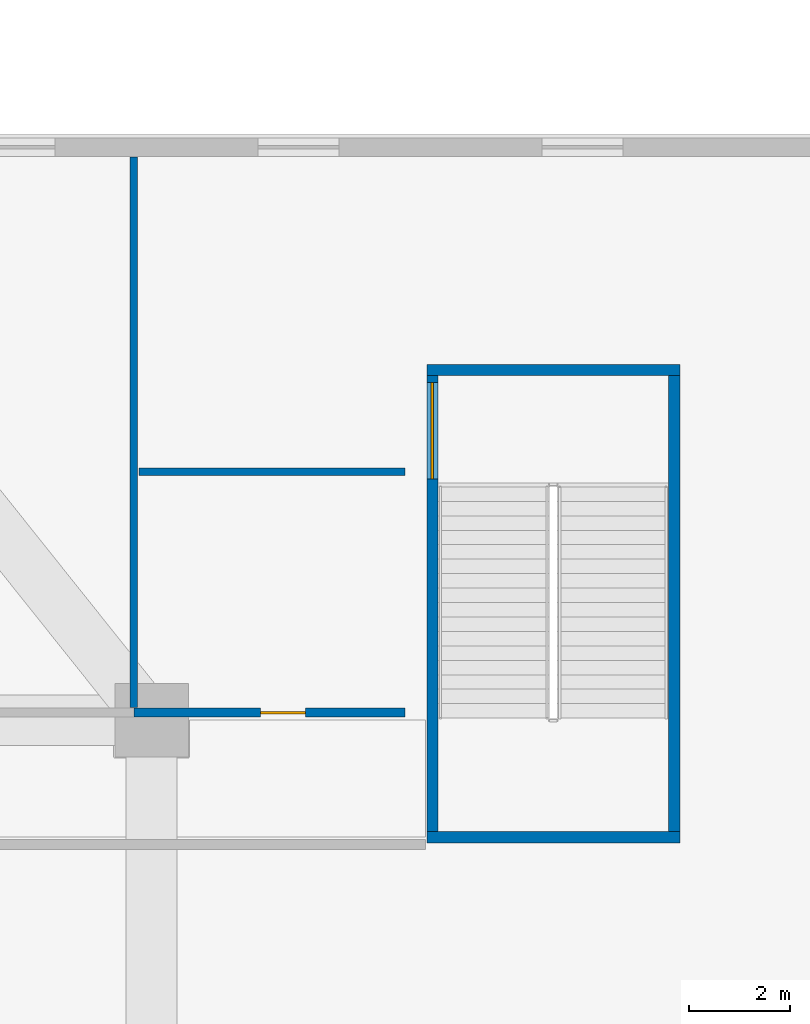
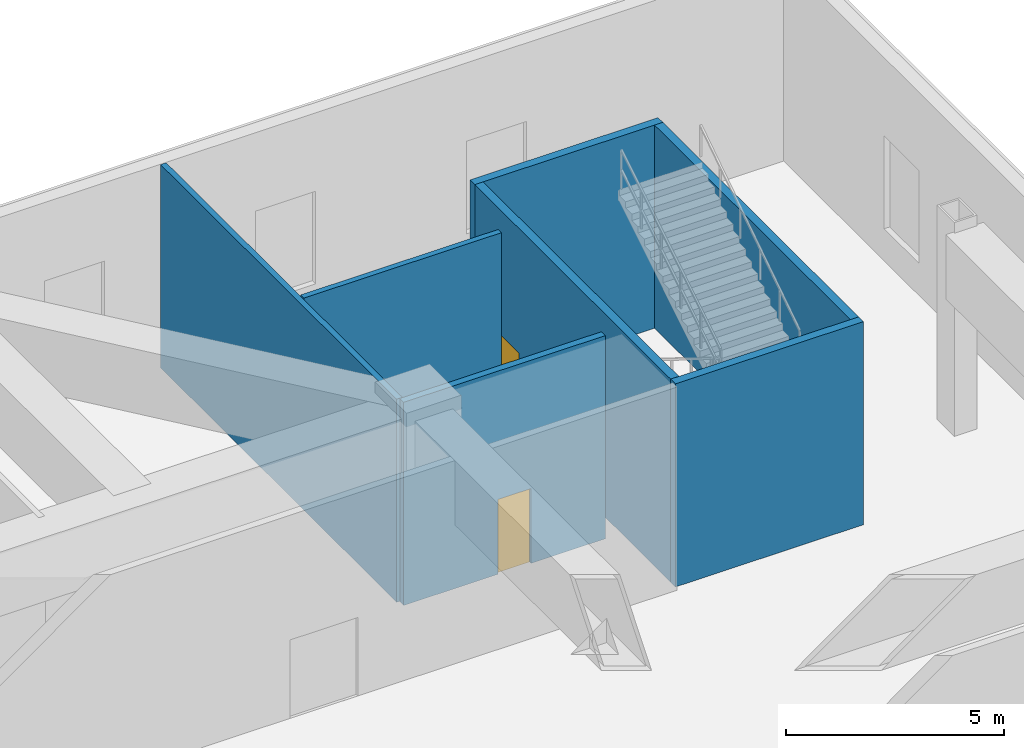
# One storey, part 15 of 24: 7 walls, 2 doors, 2 openings.
"""IFC4 building model written with IfcOpenShell, lengths in metres."""

import ifcopenshell
import ifcopenshell.guid

model = None  # the IFC model being written
_history = None  # IfcOwnerHistory: only IFC2X3 demands one
_inside = {}  # id of a spatial element -> (the spatial element, [elements in it])
_under = {}  # id of a project, library or spatial element -> (it, [spatial elements below it])
_declared = {}  # id of a project -> (the project, [libraries it declares])
_typed = {}  # id of a type object -> (the type object, [elements of that type])
_made_of = {}  # id of a material, layer set ... -> (it, [elements and type objects made of it])


def new_model(schema):
    """Start an empty IFC model of exactly this schema.

    Asked for "IFC4X3", IfcOpenShell would pick the latest addendum, in which some entities
    have other attributes; the version numbers below select the first issue.
    IFC2X3 requires an IfcOwnerHistory on every rooted entity: one is made here for all.
    """
    global model, _history
    if schema == "IFC4X3":
        model = ifcopenshell.file(schema_version=(4, 3, 0, 0))
    else:
        model = ifcopenshell.file(schema=schema)
    _inside.clear()
    _under.clear()
    _declared.clear()
    _typed.clear()
    _made_of.clear()
    _history = None
    if model.schema == "IFC2X3":
        org = make("IfcOrganization", Name="unknown")
        user = make(
            "IfcPersonAndOrganization",
            ThePerson=make("IfcPerson", FamilyName="unknown"),
            TheOrganization=org,
        )
        app = make(
            "IfcApplication",
            ApplicationDeveloper=org,
            Version="unknown",
            ApplicationFullName="unknown",
            ApplicationIdentifier="unknown",
        )
        _history = make(
            "IfcOwnerHistory",
            OwningUser=user,
            OwningApplication=app,
            ChangeAction="ADDED",
            CreationDate=0,
        )
    return model


def make(cls, **values):
    """One entity of the class cls with the attributes given. An attribute that is None is left unset."""
    return model.create_entity(
        cls, **{name: value for name, value in values.items() if value is not None}
    )


def rooted(cls, **values):
    """An entity with a GlobalId (a new one), such as an element, a storey or a relation."""
    return make(cls, GlobalId=ifcopenshell.guid.new(), OwnerHistory=_history, **values)


def si_unit(unit_type, name, prefix=None):
    """IfcSIUnit, for example si_unit("LENGTHUNIT", "METRE", prefix="MILLI")."""
    return make("IfcSIUnit", UnitType=unit_type, Prefix=prefix, Name=name)


def assignment(units):
    """IfcUnitAssignment: the units of a project."""
    return None if units is None else make("IfcUnitAssignment", Units=units)


def point(xyz):
    """IfcCartesianPoint."""
    return None if xyz is None else make("IfcCartesianPoint", Coordinates=xyz)


def direction(xyz):
    """IfcDirection."""
    return None if xyz is None else make("IfcDirection", DirectionRatios=xyz)


def frame(location, z_axis=None, x_axis=None):
    """IfcAxis2Placement3D, a coordinate frame: its origin and axes. An axis left out is left unset."""
    return make(
        "IfcAxis2Placement3D",
        Location=point(location),
        Axis=direction(z_axis),
        RefDirection=direction(x_axis),
    )


def frame_2d(location, x_axis=None):
    """IfcAxis2Placement2D, a coordinate frame in the plane: its origin and x axis."""
    return make(
        "IfcAxis2Placement2D", Location=point(location), RefDirection=direction(x_axis)
    )


def origin():
    """The frame at (0, 0, 0) with its axes left unset."""
    return frame((0.0, 0.0, 0.0))


def place(relative_to, where):
    """IfcLocalPlacement: puts the frame where relative to a parent placement (None: the world)."""
    return make(
        "IfcLocalPlacement", PlacementRelTo=relative_to, RelativePlacement=where
    )


def context(
    kind, dimensions, precision=None, world=None, true_north=None, identifier=None
):
    """IfcGeometricRepresentationContext, for example the 3D "Model" context."""
    return make(
        "IfcGeometricRepresentationContext",
        ContextIdentifier=identifier,
        ContextType=kind,
        CoordinateSpaceDimension=dimensions,
        Precision=precision,
        WorldCoordinateSystem=world,
        TrueNorth=true_north,
    )


def subcontext(parent, identifier, kind, view, scale=None):
    """IfcGeometricRepresentationSubContext, for example "Body" below "Model"."""
    return make(
        "IfcGeometricRepresentationSubContext",
        ContextIdentifier=identifier,
        ContextType=kind,
        ParentContext=parent,
        TargetScale=scale,
        TargetView=view,
    )


def project(units=None, contexts=None):
    """IfcProject with its units and contexts."""
    return rooted(
        "IfcProject",
        Name="project",
        RepresentationContexts=contexts,
        UnitsInContext=assignment(units),
    )


def spatial(cls, under=None, at=None, **own):
    """A site, building, storey or space (cls), placed at a placement, below another one or the project."""
    s = rooted(cls, ObjectPlacement=at, **own)
    if under is not None:
        _under.setdefault(under.id(), (under, []))[1].append(s)
    return s


def profile(cls, at=None, kind="AREA", **sizes):
    """A parametric profile (cls). Its sizes go by their IFC names, for example OverallWidth=200.0."""
    return make(cls, ProfileType=kind, Position=at, **sizes)


def rectangle(**sizes):
    """IfcRectangleProfileDef."""
    return profile("IfcRectangleProfileDef", **sizes)


def extrude(swept, where, along, depth):
    """IfcExtrudedAreaSolid: the profile swept, set in the frame where, extruded along a direction by depth."""
    return make(
        "IfcExtrudedAreaSolid",
        SweptArea=swept,
        Position=where,
        ExtrudedDirection=direction(along),
        Depth=depth,
    )


def shape(context_of_items, identifier, shape_type, items):
    """IfcShapeRepresentation: the items that make up one representation, for example the "Body"."""
    return make(
        "IfcShapeRepresentation",
        ContextOfItems=context_of_items,
        RepresentationIdentifier=identifier,
        RepresentationType=shape_type,
        Items=items,
    )


def material(Name=None, Category=None):
    """IfcMaterial."""
    return make("IfcMaterial", Name=Name, Category=Category)


def layer(
    of_material, thickness, ventilated=None, Name=None, Category=None, Priority=None
):
    """IfcMaterialLayer: one layer of a wall or slab, of a material (None: an air gap)."""
    return make(
        "IfcMaterialLayer",
        Material=of_material,
        LayerThickness=thickness,
        IsVentilated=ventilated,
        Name=Name,
        Category=Category,
        Priority=Priority,
    )


def layer_set(layers, Name=None):
    """IfcMaterialLayerSet."""
    return make("IfcMaterialLayerSet", MaterialLayers=layers, LayerSetName=Name)


def made_of(thing, what):
    """Note that an element or type object is made of a material, layer set ...; save() writes the relation."""
    if what is not None:
        _made_of.setdefault(what.id(), (what, []))[1].append(thing)
    return thing


def type_object(cls, material=None, **own):
    """A type object (cls), such as IfcWallType, which elements share."""
    return made_of(rooted(cls, **own), material)


def element(
    cls,
    number,
    at=None,
    inside=None,
    cuts=None,
    type_object=None,
    material=None,
    context=None,
    identifier="Body",
    shape_type=None,
    held_by="IfcProductDefinitionShape",
    body=None,
    shapes=None,
    **own,
):
    """One element of the class cls, such as IfcWall. Its Tag is "e" and its number.

    at: its placement. inside: the storey or other place that contains it. cuts: it is an
    opening in that element (IfcRelVoidsElement). A single representation is given by context,
    identifier, shape_type and body (its items); several are given by shapes. held_by: the class
    of the entity that holds the representations. save() writes the other relations.
    """
    e = rooted(cls, Tag="e%d" % number, ObjectPlacement=at, **own)
    if body is not None:
        shapes = [shape(context, identifier, shape_type, body)]
    if shapes is not None:
        e.Representation = make(held_by, Representations=shapes)
    if inside is not None:
        _inside.setdefault(inside.id(), (inside, []))[1].append(e)
    if cuts is not None:
        rooted(
            "IfcRelVoidsElement", RelatingBuildingElement=cuts, RelatedOpeningElement=e
        )
    if type_object is not None:
        _typed.setdefault(type_object.id(), (type_object, []))[1].append(e)
    return made_of(e, material)


def fill(opening, filler):
    """IfcRelFillsElement: the door or window that sits in an opening."""
    return rooted(
        "IfcRelFillsElement",
        RelatingOpeningElement=opening,
        RelatedBuildingElement=filler,
    )


def aggregate(whole, parts):
    """IfcRelAggregates: a whole, such as a stair, and the parts it consists of."""
    return rooted("IfcRelAggregates", RelatingObject=whole, RelatedObjects=parts)


def save(model, path):
    """Write the relations noted so far, then the file.

    IfcRelAggregates (storeys below a building ...), IfcRelContainedInSpatialStructure (elements
    in a storey), IfcRelDefinesByType, IfcRelAssociatesMaterial and IfcRelDeclares: one each for
    every whole, place, type object, material and project.
    """
    for whole, parts in _under.values():
        aggregate(whole, parts)
    for where, things in _inside.values():
        rooted(
            "IfcRelContainedInSpatialStructure",
            RelatedElements=things,
            RelatingStructure=where,
        )
    for kind, things in _typed.values():
        rooted("IfcRelDefinesByType", RelatedObjects=things, RelatingType=kind)
    for what, things in _made_of.values():
        rooted("IfcRelAssociatesMaterial", RelatedObjects=things, RelatingMaterial=what)
    for by, libraries in _declared.values():
        rooted("IfcRelDeclares", RelatingContext=by, RelatedDefinitions=libraries)
    model.write(path)


model = new_model("IFC4")

# Units and contexts
model_context = context("Model", 3, precision=1e-05, world=origin(), true_north=direction((0.0, 1.0)))
body_context = subcontext(model_context, "Body", "Model", "MODEL_VIEW")
ifc_project = project(units=[si_unit("LENGTHUNIT", "METRE"), si_unit("AREAUNIT", "SQUARE_METRE"), si_unit("VOLUMEUNIT", "CUBIC_METRE"), si_unit("PLANEANGLEUNIT", "RADIAN"), si_unit("MASSUNIT", "GRAM", prefix="KILO")], contexts=[model_context])

# Site, building, storey
site_placement = place(None, origin())
site = spatial("IfcSite", under=ifc_project, at=site_placement, CompositionType="ELEMENT")
building_placement = place(site_placement, origin())
building = spatial("IfcBuilding", under=site, at=building_placement, Name="Apsidion Concourse Tower", CompositionType="ELEMENT")
storey_placement = place(building_placement, frame((0.0, 0.0, 17.5)))
storey = spatial("IfcBuildingStorey", under=building, at=storey_placement, Name="L03", CompositionType="ELEMENT", Elevation=17.5)

# Walls
ifc_material_1 = material(Name="Gypsum plasterboard partition")
ifc_layer_1 = layer(ifc_material_1, 0.14990234375)
ifc_layer_set_1 = layer_set([ifc_layer_1], Name="Gypsum plasterboard partition")
wall_type_1 = type_object("IfcWallType", Name="WL-INT-PAR-150", PredefinedType="PARTITIONING", material=ifc_layer_set_1)
wall_1_placement = place(storey_placement, frame((23.64990234375, 18.25, 0.0), z_axis=(0.0, 0.0, 1.0), x_axis=(0.0, 1.0, 0.0)))
element("IfcWall", 1, at=wall_1_placement, inside=storey, type_object=wall_type_1, Name="L03 Interior Partition WL-L03-WCV2", PredefinedType="PARTITIONING", context=body_context, shape_type="SweptSolid", body=[
    extrude(rectangle(XDim=10.85498046875, YDim=0.14990234375, at=frame_2d((5.427490234375, 0.0))), origin(), (0.0, 0.0, 1.0), 5.699951171875),
])
wall_2_placement = place(storey_placement, frame((23.75, 22.89990234375, 0.0), z_axis=(0.0, 0.0, 1.0), x_axis=(1.0, 0.0, 0.0)))
element("IfcWall", 2, at=wall_2_placement, inside=storey, type_object=wall_type_1, Name="L03 Interior Partition WL-L03-WC3", PredefinedType="PARTITIONING", context=body_context, shape_type="SweptSolid", body=[
    extrude(rectangle(XDim=5.25, YDim=0.14990234375, at=frame_2d((2.625, 0.0))), origin(), (0.0, 0.0, 1.0), 5.699951171875),
])

# Wall, opening, door
ifc_layer_2 = layer(ifc_material_1, 0.179931640625)
ifc_layer_set_2 = layer_set([ifc_layer_2], Name="Gypsum plasterboard partition")
wall_type_2 = type_object("IfcWallType", Name="WL-INT-PAR-180", PredefinedType="PARTITIONING", material=ifc_layer_set_2)
wall_3_placement = place(storey_placement, frame((23.64990234375, 18.14990234375, 0.0), z_axis=(0.0, 0.0, 1.0), x_axis=(1.0, 0.0, 0.0)))
wall_3 = element("IfcWall", 3, at=wall_3_placement, inside=storey, type_object=wall_type_2, Name="L03 Interior Partition WL-L03-WC2", PredefinedType="PARTITIONING", context=body_context, shape_type="SweptSolid", body=[
    extrude(rectangle(XDim=5.35009765625, YDim=0.179931640625, at=frame_2d((2.675048828125, 0.0))), origin(), (0.0, 0.0, 1.0), 5.699951171875),
])
opening_1_placement = place(wall_3_placement, frame((2.50244140625, 0.0, 0.0)))
opening_1 = element("IfcOpeningElement", 4, at=opening_1_placement, cuts=wall_3, Name="Opening D-03R", PredefinedType="OPENING", context=body_context, shape_type="SweptSolid", body=[
    extrude(rectangle(XDim=0.8798828125, YDim=2.10009765625, at=frame_2d((0.43994140625, 1.050048828125))), frame((0.0, 0.10009765625, 0.0), z_axis=(0.0, -1.0, 0.0), x_axis=(1.0, 0.0, 0.0)), (0.0, 0.0, 1.0), 0.199951171875),
])
ifc_material_2 = material(Name="Anodised aluminium EN AW-6063 T6", Category="aluminium")
door_type_1 = type_object("IfcDoorType", Name="DR-INT-D03R", OperationType="SINGLE_SWING_RIGHT", PredefinedType="DOOR", material=ifc_material_2)
door_1_placement = place(opening_1_placement, origin())
door_1 = element("IfcDoor", 5, at=door_1_placement, inside=storey, type_object=door_type_1, Name="L03 Convention Door WL-L03-WC2", OperationType="SINGLE_SWING_RIGHT", OverallHeight=2.10009765625, OverallWidth=0.8798828125, PredefinedType="DOOR", context=body_context, shape_type="SweptSolid", body=[
    extrude(rectangle(XDim=0.8798828125, YDim=2.10009765625, at=frame_2d((0.43994140625, 1.050048828125))), frame((0.0, 0.02490234375, 0.0), z_axis=(0.0, -1.0, 0.0), x_axis=(1.0, 0.0, 0.0)), (0.0, 0.0, 1.0), 0.050048828125),
])
fill(opening_1, door_1)

# Walls
ifc_material_3 = material(Name="Concrete C50/60", Category="concrete")
ifc_layer_3 = layer(ifc_material_3, 0.219970703125)
ifc_layer_set_3 = layer_set([ifc_layer_3], Name="Concrete C50/60")
wall_type_3 = type_object("IfcWallType", Name="WL-SH-220", PredefinedType="SHEAR", material=ifc_layer_set_3)
for number, where, z_axis, x_axis, name in (
    (6, (29.429931640625, 15.68994140625, 0.0), (0.0, 0.0, 1.0), (1.0, 0.0, 0.0), "L03 Podium Stair ST-P4 Core Shear Wall S"),
    (7, (29.429931640625, 24.909912109375, 0.0), (0.0, 0.0, 1.0), (1.0, 0.0, 0.0), "L03 Podium Stair ST-P4 Core Shear Wall N"),
):
    element("IfcWall", number, at=place(storey_placement, frame(where, z_axis=z_axis, x_axis=x_axis)), inside=storey, type_object=wall_type_3, Name=name, PredefinedType="SHEAR", context=body_context, shape_type="SweptSolid", body=[
        extrude(rectangle(XDim=4.989990234375, YDim=0.219970703125, at=frame_2d((2.4951171875, 0.0))), origin(), (0.0, 0.0, 1.0), 5.699951171875),
    ])

# Wall, opening, door
wall_4_placement = place(storey_placement, frame((29.5400390625, 15.800048828125, 0.0), z_axis=(0.0, 0.0, 1.0), x_axis=(0.0, 1.0, 0.0)))
wall_4 = element("IfcWall", 8, at=wall_4_placement, inside=storey, type_object=wall_type_3, Name="L03 Podium Stair ST-P4 Core Shear Wall W", PredefinedType="SHEAR", context=body_context, shape_type="SweptSolid", body=[
    extrude(rectangle(XDim=9.0, YDim=0.219970703125, at=frame_2d((4.5, 0.0))), origin(), (0.0, 0.0, 1.0), 5.699951171875),
])
opening_2_placement = place(wall_4_placement, frame((6.9599609375, 0.0, 0.0)))
opening_2 = element("IfcOpeningElement", 9, at=opening_2_placement, cuts=wall_4, Name="Opening D-07D", PredefinedType="OPENING", context=body_context, shape_type="SweptSolid", body=[
    extrude(rectangle(XDim=1.89990234375, YDim=2.199951171875, at=frame_2d((0.949951171875, 1.10009765625))), frame((0.0, 0.1201171875, 0.0), z_axis=(0.0, -1.0, 0.0), x_axis=(1.0, 0.0, 0.0)), (0.0, 0.0, 1.0), 0.239990234375),
])
ifc_material_4 = material(Name="Brushed stainless steel 316", Category="steel")
door_type_2 = type_object("IfcDoorType", Name="DR-INT-D07D", OperationType="DOUBLE_DOOR_SINGLE_SWING", PredefinedType="DOOR", material=ifc_material_4)
door_2_placement = place(opening_2_placement, origin())
door_2 = element("IfcDoor", 10, at=door_2_placement, inside=storey, type_object=door_type_2, Name="L03 Podium Exit Stair ST-P4 Entry Door", OperationType="DOUBLE_DOOR_SINGLE_SWING", OverallHeight=2.199951171875, OverallWidth=1.89990234375, PredefinedType="DOOR", context=body_context, shape_type="SweptSolid", body=[
    extrude(rectangle(XDim=1.89990234375, YDim=2.199951171875, at=frame_2d((0.949951171875, 1.10009765625))), frame((0.0, 0.02490234375, 0.0), z_axis=(0.0, -1.0, 0.0), x_axis=(1.0, 0.0, 0.0)), (0.0, 0.0, 1.0), 0.050048828125),
])
fill(opening_2, door_2)

# Wall
wall_5_placement = place(storey_placement, frame((34.31005859375, 15.800048828125, 0.0), z_axis=(0.0, 0.0, 1.0), x_axis=(0.0, 1.0, 0.0)))
element("IfcWall", 11, at=wall_5_placement, inside=storey, type_object=wall_type_3, Name="L03 Podium Stair ST-P4 Core Shear Wall E", PredefinedType="SHEAR", context=body_context, shape_type="SweptSolid", body=[
    extrude(rectangle(XDim=9.0, YDim=0.219970703125, at=frame_2d((4.5, 0.0))), origin(), (0.0, 0.0, 1.0), 5.699951171875),
])

save(model, "model.ifc")
